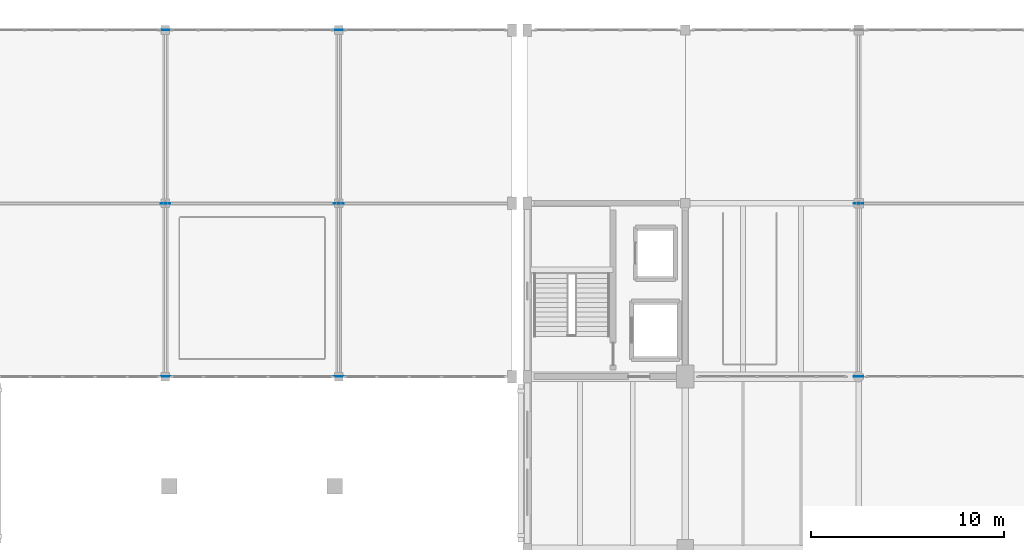
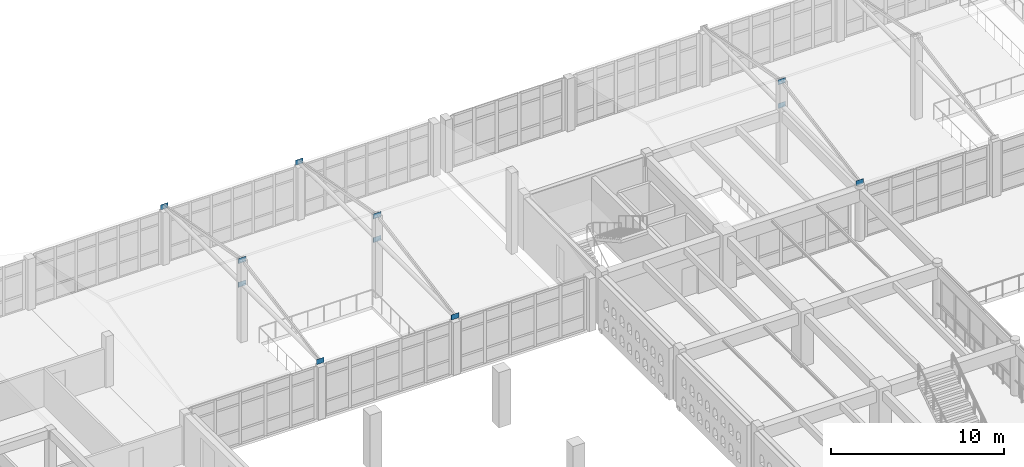
# One storey, part 124 of 156: 11 plates.
"""IFC4 building model written with IfcOpenShell, lengths in metres."""

from ifc_helpers import new_model, si_unit, direction, frame, origin, origin_2d, place, context, subcontext, project, spatial, rectangle, extrude, material, layer, layer_set, type_object, element, save


model = new_model("IFC4")

# Units and contexts
model_context = context("Model", 3, precision=1e-05, world=origin(), true_north=direction((0.0, 1.0)))
body_context = subcontext(model_context, "Body", "Model", "MODEL_VIEW")
ifc_project = project(units=[si_unit("LENGTHUNIT", "METRE"), si_unit("AREAUNIT", "SQUARE_METRE"), si_unit("VOLUMEUNIT", "CUBIC_METRE"), si_unit("PLANEANGLEUNIT", "RADIAN"), si_unit("MASSUNIT", "GRAM", prefix="KILO")], contexts=[model_context])

# Site, building, storey
site_placement = place(None, origin())
site = spatial("IfcSite", under=ifc_project, at=site_placement, CompositionType="ELEMENT")
building_placement = place(site_placement, origin())
building = spatial("IfcBuilding", under=site, at=building_placement, Name="Ornek Quay Market", CompositionType="ELEMENT")
storey_placement = place(building_placement, frame((0.0, 0.0, 4.5)))
storey = spatial("IfcBuildingStorey", under=building, at=storey_placement, Name="L01", CompositionType="ELEMENT", Elevation=4.5)

# Plates
ifc_material = material(Name="Steel S355", Category="steel")
ifc_layer = layer(ifc_material, 0.02001953125, Name="Steel S355", Category="steel")
ifc_layer_set = layer_set([ifc_layer], Name="Steel S355")
plate_type = type_object("IfcPlateType", Name="PL-FLG-500x350x20", PredefinedType="USERDEFINED", material=ifc_layer_set)
for number, where, z_axis, x_axis, name in (
    (1, (36.0, 92.0, 3.804931640625), (0.0, 0.0, 1.0), (1.0, 0.0, 0.0), "Skylight truss connection plate W-36-1"),
    (2, (36.0, 101.0, 3.804931640625), (0.0, 0.0, 1.0), (1.0, 0.0, 0.0), "Skylight truss connection plate W-36-2"),
    (3, (36.0, 101.0, 5.474853515625), (0.0, 0.0, 1.0), (1.0, 0.0, 0.0), "Skylight truss connection plate W-36-3"),
    (4, (36.0, 110.0, 3.804931640625), (0.0, 0.0, 1.0), (1.0, 0.0, 0.0), "Skylight truss connection plate W-36-4"),
    (5, (45.0, 92.0, 3.804931640625), (0.0, 0.0, 1.0), (1.0, 0.0, 0.0), "Skylight truss connection plate W-45-1"),
    (6, (45.0, 101.0, 3.804931640625), (0.0, 0.0, 1.0), (1.0, 0.0, 0.0), "Skylight truss connection plate W-45-2"),
    (7, (45.0, 101.0, 5.474853515625), (0.0, 0.0, 1.0), (1.0, 0.0, 0.0), "Skylight truss connection plate W-45-3"),
    (8, (45.0, 110.0, 3.804931640625), (0.0, 0.0, 1.0), (1.0, 0.0, 0.0), "Skylight truss connection plate W-45-4"),
    (9, (72.0, 92.0, 3.804931640625), (0.0, 0.0, 1.0), (1.0, 0.0, 0.0), "Skylight truss connection plate C-72-1"),
    (10, (72.0, 101.0, 3.804931640625), (0.0, 0.0, 1.0), (1.0, 0.0, 0.0), "Skylight truss connection plate C-72-2"),
    (11, (72.0, 101.0, 5.474853515625), (0.0, 0.0, 1.0), (1.0, 0.0, 0.0), "Skylight truss connection plate C-72-3"),
):
    element("IfcPlate", number, at=place(storey_placement, frame(where, z_axis=z_axis, x_axis=x_axis)), inside=storey, type_object=plate_type, Name=name, ObjectType="FLANGE PLATE", PredefinedType="USERDEFINED", context=body_context, shape_type="SweptSolid", body=[
        extrude(rectangle(XDim=0.5, YDim=0.02001953125, at=origin_2d()), origin(), (0.0, 0.0, 1.0), 0.35009765625),
    ])

save(model, "model.ifc")
